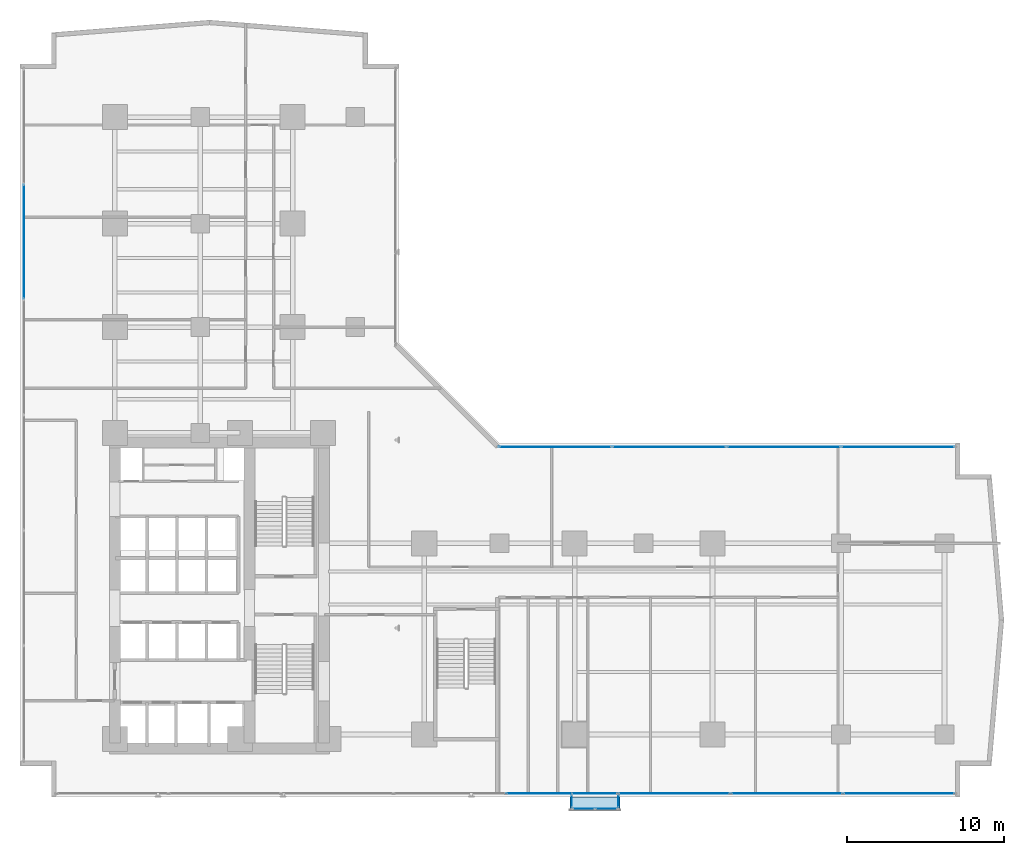
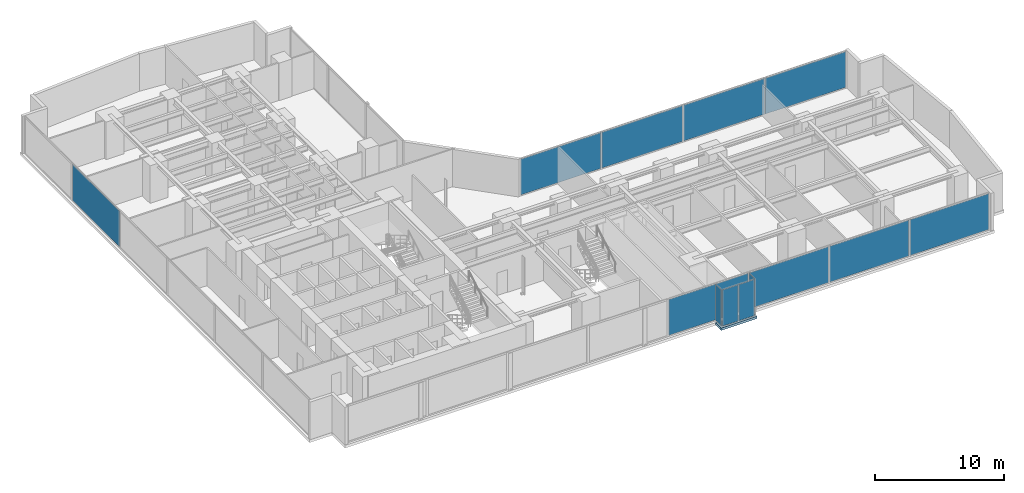
# One storey, part 21 of 28: 13 plates, 1 slab, 6 elements without a shape of their own.
"""IFC4 building model written with IfcOpenShell, lengths in metres."""

import ifcopenshell
import ifcopenshell.guid

model = None  # the IFC model being written
_history = None  # IfcOwnerHistory: only IFC2X3 demands one
_inside = {}  # id of a spatial element -> (the spatial element, [elements in it])
_under = {}  # id of a project, library or spatial element -> (it, [spatial elements below it])
_declared = {}  # id of a project -> (the project, [libraries it declares])
_typed = {}  # id of a type object -> (the type object, [elements of that type])
_made_of = {}  # id of a material, layer set ... -> (it, [elements and type objects made of it])


def new_model(schema):
    """Start an empty IFC model of exactly this schema.

    Asked for "IFC4X3", IfcOpenShell would pick the latest addendum, in which some entities
    have other attributes; the version numbers below select the first issue.
    IFC2X3 requires an IfcOwnerHistory on every rooted entity: one is made here for all.
    """
    global model, _history
    if schema == "IFC4X3":
        model = ifcopenshell.file(schema_version=(4, 3, 0, 0))
    else:
        model = ifcopenshell.file(schema=schema)
    _inside.clear()
    _under.clear()
    _declared.clear()
    _typed.clear()
    _made_of.clear()
    _history = None
    if model.schema == "IFC2X3":
        org = make("IfcOrganization", Name="unknown")
        user = make(
            "IfcPersonAndOrganization",
            ThePerson=make("IfcPerson", FamilyName="unknown"),
            TheOrganization=org,
        )
        app = make(
            "IfcApplication",
            ApplicationDeveloper=org,
            Version="unknown",
            ApplicationFullName="unknown",
            ApplicationIdentifier="unknown",
        )
        _history = make(
            "IfcOwnerHistory",
            OwningUser=user,
            OwningApplication=app,
            ChangeAction="ADDED",
            CreationDate=0,
        )
    return model


def make(cls, **values):
    """One entity of the class cls with the attributes given. An attribute that is None is left unset."""
    return model.create_entity(
        cls, **{name: value for name, value in values.items() if value is not None}
    )


def rooted(cls, **values):
    """An entity with a GlobalId (a new one), such as an element, a storey or a relation."""
    return make(cls, GlobalId=ifcopenshell.guid.new(), OwnerHistory=_history, **values)


def si_unit(unit_type, name, prefix=None):
    """IfcSIUnit, for example si_unit("LENGTHUNIT", "METRE", prefix="MILLI")."""
    return make("IfcSIUnit", UnitType=unit_type, Prefix=prefix, Name=name)


def assignment(units):
    """IfcUnitAssignment: the units of a project."""
    return None if units is None else make("IfcUnitAssignment", Units=units)


def point(xyz):
    """IfcCartesianPoint."""
    return None if xyz is None else make("IfcCartesianPoint", Coordinates=xyz)


def direction(xyz):
    """IfcDirection."""
    return None if xyz is None else make("IfcDirection", DirectionRatios=xyz)


def frame(location, z_axis=None, x_axis=None):
    """IfcAxis2Placement3D, a coordinate frame: its origin and axes. An axis left out is left unset."""
    return make(
        "IfcAxis2Placement3D",
        Location=point(location),
        Axis=direction(z_axis),
        RefDirection=direction(x_axis),
    )


def frame_2d(location, x_axis=None):
    """IfcAxis2Placement2D, a coordinate frame in the plane: its origin and x axis."""
    return make(
        "IfcAxis2Placement2D", Location=point(location), RefDirection=direction(x_axis)
    )


def origin():
    """The frame at (0, 0, 0) with its axes left unset."""
    return frame((0.0, 0.0, 0.0))


def origin_with_axes():
    """The frame at (0, 0, 0) with the z axis (0, 0, 1) and the x axis (1, 0, 0) written out."""
    return frame((0.0, 0.0, 0.0), z_axis=(0.0, 0.0, 1.0), x_axis=(1.0, 0.0, 0.0))


def origin_2d():
    """The frame at (0, 0) in the plane with its x axis left unset."""
    return frame_2d((0.0, 0.0))


def place(relative_to, where):
    """IfcLocalPlacement: puts the frame where relative to a parent placement (None: the world)."""
    return make(
        "IfcLocalPlacement", PlacementRelTo=relative_to, RelativePlacement=where
    )


def context(
    kind, dimensions, precision=None, world=None, true_north=None, identifier=None
):
    """IfcGeometricRepresentationContext, for example the 3D "Model" context."""
    return make(
        "IfcGeometricRepresentationContext",
        ContextIdentifier=identifier,
        ContextType=kind,
        CoordinateSpaceDimension=dimensions,
        Precision=precision,
        WorldCoordinateSystem=world,
        TrueNorth=true_north,
    )


def subcontext(parent, identifier, kind, view, scale=None):
    """IfcGeometricRepresentationSubContext, for example "Body" below "Model"."""
    return make(
        "IfcGeometricRepresentationSubContext",
        ContextIdentifier=identifier,
        ContextType=kind,
        ParentContext=parent,
        TargetScale=scale,
        TargetView=view,
    )


def project(units=None, contexts=None):
    """IfcProject with its units and contexts."""
    return rooted(
        "IfcProject",
        Name="project",
        RepresentationContexts=contexts,
        UnitsInContext=assignment(units),
    )


def spatial(cls, under=None, at=None, **own):
    """A site, building, storey or space (cls), placed at a placement, below another one or the project."""
    s = rooted(cls, ObjectPlacement=at, **own)
    if under is not None:
        _under.setdefault(under.id(), (under, []))[1].append(s)
    return s


def polyline(points):
    """IfcPolyline through the points."""
    return make("IfcPolyline", Points=[point(p) for p in points])


def profile(cls, at=None, kind="AREA", **sizes):
    """A parametric profile (cls). Its sizes go by their IFC names, for example OverallWidth=200.0."""
    return make(cls, ProfileType=kind, Position=at, **sizes)


def rectangle(**sizes):
    """IfcRectangleProfileDef."""
    return profile("IfcRectangleProfileDef", **sizes)


def outline(outer, holes=None, kind="AREA"):
    """IfcArbitraryClosedProfileDef: a profile drawn as a closed curve; with holes, ...WithVoids."""
    if holes is None:
        return make("IfcArbitraryClosedProfileDef", ProfileType=kind, OuterCurve=outer)
    return make(
        "IfcArbitraryProfileDefWithVoids",
        ProfileType=kind,
        OuterCurve=outer,
        InnerCurves=holes,
    )


def extrude(swept, where, along, depth):
    """IfcExtrudedAreaSolid: the profile swept, set in the frame where, extruded along a direction by depth."""
    return make(
        "IfcExtrudedAreaSolid",
        SweptArea=swept,
        Position=where,
        ExtrudedDirection=direction(along),
        Depth=depth,
    )


def shape(context_of_items, identifier, shape_type, items):
    """IfcShapeRepresentation: the items that make up one representation, for example the "Body"."""
    return make(
        "IfcShapeRepresentation",
        ContextOfItems=context_of_items,
        RepresentationIdentifier=identifier,
        RepresentationType=shape_type,
        Items=items,
    )


def source(mapping_origin, context_of_items, identifier, shape_type, items):
    """IfcRepresentationMap: a shape defined once, which mapped items show again and again."""
    return make(
        "IfcRepresentationMap",
        MappingOrigin=mapping_origin,
        MappedRepresentation=shape(context_of_items, identifier, shape_type, items),
    )


def transform(
    local_origin,
    x_axis=None,
    y_axis=None,
    z_axis=None,
    scale=None,
    scale2=None,
    scale3=None,
    uniform=True,
):
    """IfcCartesianTransformationOperator3D, or its non-uniform kind. x_axis, y_axis, z_axis: its Axis1, 2, 3."""
    if uniform:
        return make(
            "IfcCartesianTransformationOperator3D",
            Axis1=direction(x_axis),
            Axis2=direction(y_axis),
            LocalOrigin=point(local_origin),
            Scale=scale,
            Axis3=direction(z_axis),
        )
    return make(
        "IfcCartesianTransformationOperator3DnonUniform",
        Axis1=direction(x_axis),
        Axis2=direction(y_axis),
        LocalOrigin=point(local_origin),
        Scale=scale,
        Axis3=direction(z_axis),
        Scale2=scale2,
        Scale3=scale3,
    )


def mapped(mapping_source, mapping_target):
    """IfcMappedItem: shows the shape of a source again, moved by a transform."""
    return make(
        "IfcMappedItem", MappingSource=mapping_source, MappingTarget=mapping_target
    )


def material(Name=None, Category=None):
    """IfcMaterial."""
    return make("IfcMaterial", Name=Name, Category=Category)


def layer(
    of_material, thickness, ventilated=None, Name=None, Category=None, Priority=None
):
    """IfcMaterialLayer: one layer of a wall or slab, of a material (None: an air gap)."""
    return make(
        "IfcMaterialLayer",
        Material=of_material,
        LayerThickness=thickness,
        IsVentilated=ventilated,
        Name=Name,
        Category=Category,
        Priority=Priority,
    )


def layer_set(layers, Name=None):
    """IfcMaterialLayerSet."""
    return make("IfcMaterialLayerSet", MaterialLayers=layers, LayerSetName=Name)


def made_of(thing, what):
    """Note that an element or type object is made of a material, layer set ...; save() writes the relation."""
    if what is not None:
        _made_of.setdefault(what.id(), (what, []))[1].append(thing)
    return thing


def type_object(cls, material=None, **own):
    """A type object (cls), such as IfcWallType, which elements share."""
    return made_of(rooted(cls, **own), material)


def element(
    cls,
    number,
    at=None,
    inside=None,
    cuts=None,
    type_object=None,
    material=None,
    context=None,
    identifier="Body",
    shape_type=None,
    held_by="IfcProductDefinitionShape",
    body=None,
    shapes=None,
    **own,
):
    """One element of the class cls, such as IfcWall. Its Tag is "e" and its number.

    at: its placement. inside: the storey or other place that contains it. cuts: it is an
    opening in that element (IfcRelVoidsElement). A single representation is given by context,
    identifier, shape_type and body (its items); several are given by shapes. held_by: the class
    of the entity that holds the representations. save() writes the other relations.
    """
    e = rooted(cls, Tag="e%d" % number, ObjectPlacement=at, **own)
    if body is not None:
        shapes = [shape(context, identifier, shape_type, body)]
    if shapes is not None:
        e.Representation = make(held_by, Representations=shapes)
    if inside is not None:
        _inside.setdefault(inside.id(), (inside, []))[1].append(e)
    if cuts is not None:
        rooted(
            "IfcRelVoidsElement", RelatingBuildingElement=cuts, RelatedOpeningElement=e
        )
    if type_object is not None:
        _typed.setdefault(type_object.id(), (type_object, []))[1].append(e)
    return made_of(e, material)


def aggregate(whole, parts):
    """IfcRelAggregates: a whole, such as a stair, and the parts it consists of."""
    return rooted("IfcRelAggregates", RelatingObject=whole, RelatedObjects=parts)


def save(model, path):
    """Write the relations noted so far, then the file.

    IfcRelAggregates (storeys below a building ...), IfcRelContainedInSpatialStructure (elements
    in a storey), IfcRelDefinesByType, IfcRelAssociatesMaterial and IfcRelDeclares: one each for
    every whole, place, type object, material and project.
    """
    for whole, parts in _under.values():
        aggregate(whole, parts)
    for where, things in _inside.values():
        rooted(
            "IfcRelContainedInSpatialStructure",
            RelatedElements=things,
            RelatingStructure=where,
        )
    for kind, things in _typed.values():
        rooted("IfcRelDefinesByType", RelatedObjects=things, RelatingType=kind)
    for what, things in _made_of.values():
        rooted("IfcRelAssociatesMaterial", RelatedObjects=things, RelatingMaterial=what)
    for by, libraries in _declared.values():
        rooted("IfcRelDeclares", RelatingContext=by, RelatedDefinitions=libraries)
    model.write(path)


model = new_model("IFC4")

# Units and contexts
model_context = context("Model", 3, precision=1e-05, world=origin(), true_north=direction((0.0, 1.0)))
body_context = subcontext(model_context, "Body", "Model", "MODEL_VIEW")
ifc_project = project(units=[si_unit("LENGTHUNIT", "METRE"), si_unit("AREAUNIT", "SQUARE_METRE"), si_unit("VOLUMEUNIT", "CUBIC_METRE"), si_unit("PLANEANGLEUNIT", "RADIAN"), si_unit("MASSUNIT", "GRAM", prefix="KILO")], contexts=[model_context])

# Site, building, storey
site_placement = place(None, origin())
site = spatial("IfcSite", under=ifc_project, at=site_placement, CompositionType="ELEMENT")
building_placement = place(site_placement, origin())
building = spatial("IfcBuilding", under=site, at=building_placement, Name="Kolvaren Waterfront Exchange", CompositionType="ELEMENT")
storey_placement = place(building_placement, frame((0.0, 0.0, 56.199951171875)))
storey = spatial("IfcBuildingStorey", under=building, at=storey_placement, Name="L14", CompositionType="ELEMENT", Elevation=56.199951171875)

# Slab
ifc_material_1 = material(Name="Concrete C40/50", Category="concrete")
ifc_layer_1 = layer(ifc_material_1, 0.219970703125, Name="Concrete C40/50")
ifc_layer_set_1 = layer_set([ifc_layer_1], Name="Concrete C40/50")
slab_type = type_object("IfcSlabType", Name="STR-TERR-220", PredefinedType="FLOOR", material=ifc_layer_set_1)
slab_placement = place(storey_placement, frame((0.0, 0.0, -0.219970703125)))
element("IfcSlab", 1, at=slab_placement, inside=storey, type_object=slab_type, Name="L14 projecting bay-box floor strip", PredefinedType="FLOOR", context=body_context, shape_type="SweptSolid", body=[
    extrude(outline(polyline([(36.5, 0.35009765625), (39.699951171875, 0.35009765625), (39.699951171875, 1.199951171875), (36.5, 1.199951171875), (36.5, 0.35009765625)])), origin(), (0.0, 0.0, 1.0), 0.219970703125),
])

# Curtain wall, plates
ifc_material_2 = material(Name="Anodised bronze aluminium 6063-T6", Category="aluminium")
ifc_layer_2 = layer(ifc_material_2, 0.219970703125, Name="Anodised bronze aluminium 6063-T6")
ifc_layer_set_2 = layer_set([ifc_layer_2], Name="Anodised bronze aluminium 6063-T6")
curtain_wall_type_1 = type_object("IfcCurtainWallType", Name="ARC-CW-SYS1", PredefinedType="USERDEFINED", material=ifc_layer_set_2)
curtain_wall_1_placement = place(storey_placement, origin())
curtain_wall_1 = element("IfcCurtainWall", 2, at=curtain_wall_1_placement, inside=storey, type_object=curtain_wall_type_1, Name="L14 stick curtain wall CW1 (CW-L14-S)", ObjectType="STICK CURTAIN WALL", PredefinedType="USERDEFINED")
ifc_material_3 = material(Name="Bronze solar control vision glass", Category="aluminium")
ifc_layer_3 = layer(ifc_material_3, 0.028076171875, Name="Bronze solar control vision glass")
ifc_layer_set_3 = layer_set([ifc_layer_3], Name="Bronze solar control vision glass")
plate_type_1 = type_object("IfcPlateType", Name="ARC-CWP-28", PredefinedType="CURTAIN_PANEL", material=ifc_layer_set_3)
shared_shape_1 = source(origin_with_axes(), body_context, "Body", "SweptSolid", [
    extrude(rectangle(XDim=7.054931640625, YDim=0.028076171875, at=origin_2d()), origin(), (0.0, 0.0, 1.0), 3.389892578125),
])
plate_1_placement = place(storey_placement, frame((57.492431640625, 1.43994140625, 0.0751953125), z_axis=(0.0, 0.0, 1.0), x_axis=(1.0, 0.0, 0.0)))
plate_1 = element("IfcPlate", 3, at=plate_1_placement, type_object=plate_type_1, Name="CW1 panel 8.1", PredefinedType="CURTAIN_PANEL", context=body_context, shape_type="MappedRepresentation", body=[
    mapped(shared_shape_1, transform((0.0, 0.0, 0.0), x_axis=(1.0, 0.0, 0.0), y_axis=(0.0, 1.0, 0.0), z_axis=(0.0, 0.0, 1.0), scale=1.0)),
])
shared_shape_2 = source(origin_with_axes(), body_context, "Body", "SweptSolid", [
    extrude(rectangle(XDim=7.094970703125, YDim=0.028076171875, at=origin_2d()), origin(), (0.0, 0.0, 1.0), 3.389892578125),
])
plate_2_placement = place(storey_placement, frame((35.987548828125, 1.43994140625, 0.0751953125), z_axis=(0.0, 0.0, 1.0), x_axis=(1.0, 0.0, 0.0)))
plate_2 = element("IfcPlate", 4, at=plate_2_placement, type_object=plate_type_1, Name="CW1 panel 5.1", PredefinedType="CURTAIN_PANEL", context=body_context, shape_type="MappedRepresentation", body=[
    mapped(shared_shape_2, transform((0.0, 0.0, 0.0), x_axis=(1.0, 0.0, 0.0), y_axis=(0.0, 1.0, 0.0), z_axis=(0.0, 0.0, 1.0), scale=1.0)),
])
plate_3_placement = place(storey_placement, frame((43.16259765625, 1.43994140625, 0.0751953125), z_axis=(0.0, 0.0, 1.0), x_axis=(1.0, 0.0, 0.0)))
plate_3 = element("IfcPlate", 5, at=plate_3_placement, type_object=plate_type_1, Name="CW1 panel 6.1", PredefinedType="CURTAIN_PANEL", context=body_context, shape_type="MappedRepresentation", body=[
    mapped(shared_shape_2, transform((0.0, 0.0, 0.0), x_axis=(1.0, 0.0, 0.0), y_axis=(0.0, 1.0, 0.0), z_axis=(0.0, 0.0, 1.0), scale=1.0)),
])
plate_4_placement = place(storey_placement, frame((50.33740234375, 1.43994140625, 0.0751953125), z_axis=(0.0, 0.0, 1.0), x_axis=(1.0, 0.0, 0.0)))
plate_4 = element("IfcPlate", 6, at=plate_4_placement, type_object=plate_type_1, Name="CW1 panel 7.1", PredefinedType="CURTAIN_PANEL", context=body_context, shape_type="MappedRepresentation", body=[
    mapped(shared_shape_2, transform((0.0, 0.0, 0.0), x_axis=(1.0, 0.0, 0.0), y_axis=(0.0, 1.0, 0.0), z_axis=(0.0, 0.0, 1.0), scale=1.0)),
])
aggregate(curtain_wall_1, [plate_2, plate_3, plate_4, plate_1])

# Curtain wall, plate
ifc_material_4 = material(Name="Anodised aluminium 6063-T6", Category="aluminium")
ifc_layer_4 = layer(ifc_material_4, 0.219970703125, Name="Anodised aluminium 6063-T6")
ifc_layer_set_4 = layer_set([ifc_layer_4], Name="Anodised aluminium 6063-T6")
curtain_wall_type_2 = type_object("IfcCurtainWallType", Name="ARC-CW-SYS2", PredefinedType="USERDEFINED", material=ifc_layer_set_4)
curtain_wall_2_placement = place(storey_placement, origin())
curtain_wall_2 = element("IfcCurtainWall", 7, at=curtain_wall_2_placement, inside=storey, type_object=curtain_wall_type_2, Name="L14 stick curtain wall CW2 (CW-L14-W)", ObjectType="STICK CURTAIN WALL", PredefinedType="USERDEFINED")
ifc_material_5 = material(Name="Acoustic laminated vision glass", Category="glass")
ifc_layer_5 = layer(ifc_material_5, 0.031982421875, Name="Acoustic laminated vision glass")
ifc_layer_set_5 = layer_set([ifc_layer_5], Name="Acoustic laminated vision glass")
plate_type_2 = type_object("IfcPlateType", Name="ARC-CWP-32", PredefinedType="CURTAIN_PANEL", material=ifc_layer_set_5)
shared_shape_3 = source(origin_with_axes(), body_context, "Body", "SweptSolid", [
    extrude(rectangle(XDim=7.28662109375, YDim=0.031982421875, at=origin_2d()), origin(), (0.0, 0.0, 1.0), 3.389892578125),
])
plate_5_placement = place(storey_placement, frame((1.639892578125, 36.64990234375, 0.0751953125), z_axis=(0.0, 0.0, 1.0), x_axis=(0.0, 1.0, 0.0)))
plate_5 = element("IfcPlate", 8, at=plate_5_placement, type_object=plate_type_2, Name="CW2 panel 5.1", PredefinedType="CURTAIN_PANEL", context=body_context, shape_type="MappedRepresentation", body=[
    mapped(shared_shape_3, transform((0.0, 0.0, 0.0), x_axis=(1.0, 0.0, 0.0), y_axis=(0.0, 1.0, 0.0), z_axis=(0.0, 0.0, 1.0), scale=1.0)),
])
aggregate(curtain_wall_2, [plate_5])

# Curtain wall, plates
curtain_wall_3_placement = place(storey_placement, origin())
curtain_wall_3 = element("IfcCurtainWall", 9, at=curtain_wall_3_placement, inside=storey, type_object=curtain_wall_type_1, Name="L14 stick curtain wall CW1 (CW-L14-EN)", ObjectType="STICK CURTAIN WALL", PredefinedType="USERDEFINED")
shared_shape_4 = source(origin_with_axes(), body_context, "Body", "SweptSolid", [
    extrude(rectangle(XDim=7.1826171875, YDim=0.028076171875, at=origin_2d()), origin(), (0.0, 0.0, 1.0), 3.389892578125),
])
plate_6_placement = place(storey_placement, frame((35.561279296875, 23.56005859375, 0.0751953125), z_axis=(0.0, 0.0, 1.0), x_axis=(1.0, 0.0, 0.0)))
plate_6 = element("IfcPlate", 10, at=plate_6_placement, type_object=plate_type_1, Name="CW1 panel 1.1", PredefinedType="CURTAIN_PANEL", context=body_context, shape_type="MappedRepresentation", body=[
    mapped(shared_shape_4, transform((0.0, 0.0, 0.0), x_axis=(1.0, 0.0, 0.0), y_axis=(0.0, 1.0, 0.0), z_axis=(0.0, 0.0, 1.0), scale=1.0)),
])
plate_7_placement = place(storey_placement, frame((57.4287109375, 23.56005859375, 0.0751953125), z_axis=(0.0, 0.0, 1.0), x_axis=(1.0, 0.0, 0.0)))
plate_7 = element("IfcPlate", 11, at=plate_7_placement, type_object=plate_type_1, Name="CW1 panel 4.1", PredefinedType="CURTAIN_PANEL", context=body_context, shape_type="MappedRepresentation", body=[
    mapped(shared_shape_4, transform((0.0, 0.0, 0.0), x_axis=(1.0, 0.0, 0.0), y_axis=(0.0, 1.0, 0.0), z_axis=(0.0, 0.0, 1.0), scale=1.0)),
])
shared_shape_5 = source(origin_with_axes(), body_context, "Body", "SweptSolid", [
    extrude(rectangle(XDim=7.222412109375, YDim=0.028076171875, at=origin_2d()), origin(), (0.0, 0.0, 1.0), 3.389892578125),
])
plate_8_placement = place(storey_placement, frame((42.84375, 23.56005859375, 0.0751953125), z_axis=(0.0, 0.0, 1.0), x_axis=(1.0, 0.0, 0.0)))
plate_8 = element("IfcPlate", 12, at=plate_8_placement, type_object=plate_type_1, Name="CW1 panel 2.1", PredefinedType="CURTAIN_PANEL", context=body_context, shape_type="MappedRepresentation", body=[
    mapped(shared_shape_5, transform((0.0, 0.0, 0.0), x_axis=(1.0, 0.0, 0.0), y_axis=(0.0, 1.0, 0.0), z_axis=(0.0, 0.0, 1.0), scale=1.0)),
])
plate_9_placement = place(storey_placement, frame((50.146240234375, 23.56005859375, 0.0751953125), z_axis=(0.0, 0.0, 1.0), x_axis=(1.0, 0.0, 0.0)))
plate_9 = element("IfcPlate", 13, at=plate_9_placement, type_object=plate_type_1, Name="CW1 panel 3.1", PredefinedType="CURTAIN_PANEL", context=body_context, shape_type="MappedRepresentation", body=[
    mapped(shared_shape_5, transform((0.0, 0.0, 0.0), x_axis=(1.0, 0.0, 0.0), y_axis=(0.0, 1.0, 0.0), z_axis=(0.0, 0.0, 1.0), scale=1.0)),
])
aggregate(curtain_wall_3, [plate_6, plate_8, plate_9, plate_7])

# Curtain wall, plate
ifc_layer_6 = layer(ifc_material_2, 0.219970703125, Name="Anodised bronze aluminium 6063-T6")
ifc_layer_set_6 = layer_set([ifc_layer_6], Name="Anodised bronze aluminium 6063-T6")
curtain_wall_type_3 = type_object("IfcCurtainWallType", Name="ARC-CW-SYS3", PredefinedType="USERDEFINED", material=ifc_layer_set_6)
curtain_wall_4_placement = place(storey_placement, origin())
curtain_wall_4 = element("IfcCurtainWall", 14, at=curtain_wall_4_placement, inside=storey, type_object=curtain_wall_type_3, Name="L14 stick curtain wall CW3 (CW-L14-BOX-W)", ObjectType="STICK CURTAIN WALL", PredefinedType="USERDEFINED")
ifc_material_6 = material(Name="Bronze tinted bay-box vision glass", Category="aluminium")
ifc_layer_7 = layer(ifc_material_6, 0.02392578125, Name="Bronze tinted bay-box vision glass")
ifc_layer_set_7 = layer_set([ifc_layer_7], Name="Bronze tinted bay-box vision glass")
plate_type_3 = type_object("IfcPlateType", Name="ARC-CWP-24", PredefinedType="CURTAIN_PANEL", material=ifc_layer_set_7)
shared_shape_6 = source(origin_with_axes(), body_context, "Body", "SweptSolid", [
    extrude(rectangle(XDim=0.830078125, YDim=0.02392578125, at=origin_2d()), origin(), (0.0, 0.0, 1.0), 3.409912109375),
])
plate_10_placement = place(storey_placement, frame((36.610107421875, 0.949951171875, 0.06494140625), z_axis=(0.0, 0.0, 1.0), x_axis=(0.0, -1.0, 0.0)))
plate_10 = element("IfcPlate", 15, at=plate_10_placement, type_object=plate_type_3, Name="CW3 panel 1.1", PredefinedType="CURTAIN_PANEL", context=body_context, shape_type="MappedRepresentation", body=[
    mapped(shared_shape_6, transform((0.0, 0.0, 0.0), x_axis=(1.0, 0.0, 0.0), y_axis=(0.0, 1.0, 0.0), z_axis=(0.0, 0.0, 1.0), scale=1.0)),
])
aggregate(curtain_wall_4, [plate_10])

curtain_wall_5_placement = place(storey_placement, origin())
curtain_wall_5 = element("IfcCurtainWall", 16, at=curtain_wall_5_placement, inside=storey, type_object=curtain_wall_type_3, Name="L14 stick curtain wall CW3 (CW-L14-BOX-E)", ObjectType="STICK CURTAIN WALL", PredefinedType="USERDEFINED")
plate_11_placement = place(storey_placement, frame((39.590087890625, 0.949951171875, 0.06494140625), z_axis=(0.0, 0.0, 1.0), x_axis=(0.0, 1.0, 0.0)))
plate_11 = element("IfcPlate", 17, at=plate_11_placement, type_object=plate_type_3, Name="CW3 panel 1.1", PredefinedType="CURTAIN_PANEL", context=body_context, shape_type="MappedRepresentation", body=[
    mapped(shared_shape_6, transform((0.0, 0.0, 0.0), x_axis=(1.0, 0.0, 0.0), y_axis=(0.0, 1.0, 0.0), z_axis=(0.0, 0.0, 1.0), scale=1.0)),
])
aggregate(curtain_wall_5, [plate_11])

# Curtain wall, plates
curtain_wall_6_placement = place(storey_placement, origin())
curtain_wall_6 = element("IfcCurtainWall", 18, at=curtain_wall_6_placement, inside=storey, type_object=curtain_wall_type_3, Name="L14 stick curtain wall CW3 (CW-L14-BOX)", ObjectType="STICK CURTAIN WALL", PredefinedType="USERDEFINED")
shared_shape_7 = source(origin_with_axes(), body_context, "Body", "SweptSolid", [
    extrude(rectangle(XDim=1.37744140625, YDim=0.02392578125, at=origin_2d()), origin(), (0.0, 0.0, 1.0), 3.409912109375),
])
plate_12_placement = place(storey_placement, frame((37.373779296875, 0.4599609375, 0.06494140625), z_axis=(0.0, 0.0, 1.0), x_axis=(1.0, 0.0, 0.0)))
plate_12 = element("IfcPlate", 19, at=plate_12_placement, type_object=plate_type_3, Name="CW3 panel 1.1", PredefinedType="CURTAIN_PANEL", context=body_context, shape_type="MappedRepresentation", body=[
    mapped(shared_shape_7, transform((0.0, 0.0, 0.0), x_axis=(1.0, 0.0, 0.0), y_axis=(0.0, 1.0, 0.0), z_axis=(0.0, 0.0, 1.0), scale=1.0)),
])
plate_13_placement = place(storey_placement, frame((38.826171875, 0.4599609375, 0.06494140625), z_axis=(0.0, 0.0, 1.0), x_axis=(1.0, 0.0, 0.0)))
plate_13 = element("IfcPlate", 20, at=plate_13_placement, type_object=plate_type_3, Name="CW3 panel 2.1", PredefinedType="CURTAIN_PANEL", context=body_context, shape_type="MappedRepresentation", body=[
    mapped(shared_shape_7, transform((0.0, 0.0, 0.0), x_axis=(1.0, 0.0, 0.0), y_axis=(0.0, 1.0, 0.0), z_axis=(0.0, 0.0, 1.0), scale=1.0)),
])
aggregate(curtain_wall_6, [plate_12, plate_13])

save(model, "model.ifc")
